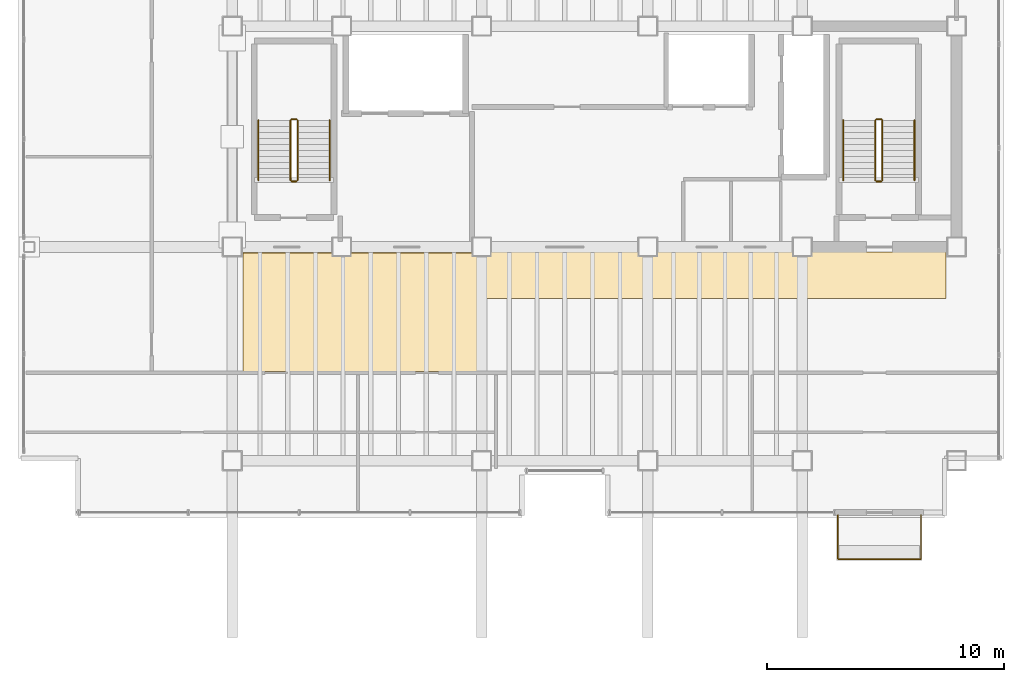
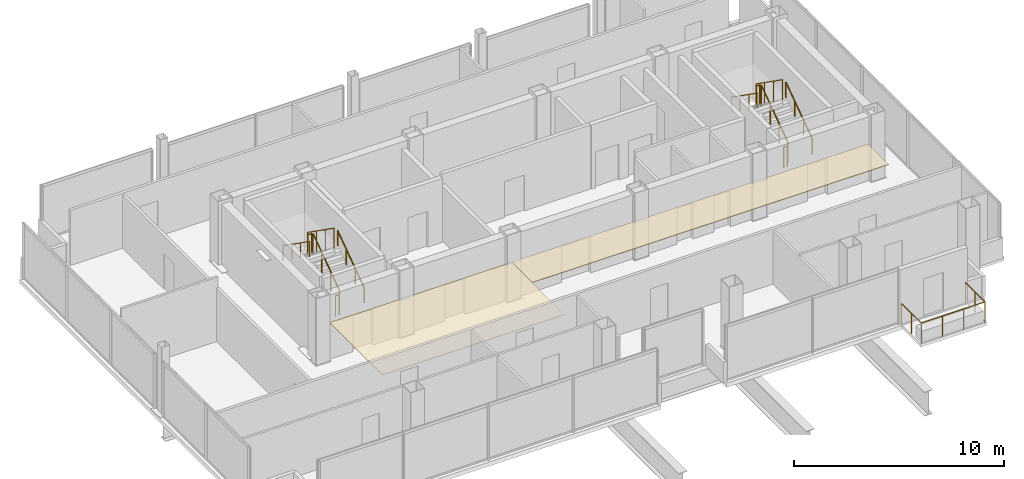
# One storey, part 19 of 19: 13 railings, 2 coverings.
"""IFC4 building model written with IfcOpenShell, lengths in metres."""

from ifc_helpers import new_model, si_unit, direction, frame, origin, origin_2d, place, context, subcontext, project, spatial, polyline, circle, outline, extrude, material, layer, layer_set, type_object, element, save


model = new_model("IFC4")

# Units and contexts
model_context = context("Model", 3, precision=1e-05, world=origin(), true_north=direction((0.0, 1.0)))
body_context = subcontext(model_context, "Body", "Model", "MODEL_VIEW")
ifc_project = project(units=[si_unit("LENGTHUNIT", "METRE"), si_unit("AREAUNIT", "SQUARE_METRE"), si_unit("VOLUMEUNIT", "CUBIC_METRE"), si_unit("PLANEANGLEUNIT", "RADIAN"), si_unit("MASSUNIT", "GRAM", prefix="KILO")], contexts=[model_context])

# Site, building, storey
site_placement = place(None, origin())
site = spatial("IfcSite", under=ifc_project, at=site_placement, CompositionType="ELEMENT")
building_placement = place(site_placement, origin())
building = spatial("IfcBuilding", under=site, at=building_placement, Name="Noeulbin Bourse Tower", CompositionType="ELEMENT")
storey_placement = place(building_placement, frame((0.0, 0.0, 257.89990234375)))
storey = spatial("IfcBuildingStorey", under=building, at=storey_placement, Name="L64", CompositionType="ELEMENT", Elevation=257.89990234375)

# Coverings
ifc_material_1 = material(Name="Perforated Mineral-Fibre Acoustic Tile")
ifc_layer_1 = layer(ifc_material_1, 0.0400390625)
ifc_layer_set_1 = layer_set([ifc_layer_1], Name="Perforated Mineral-Fibre Acoustic Tile")
covering_type_1 = type_object("IfcCoveringType", Name="COV-CEIL-ACT", PredefinedType="CEILING", material=ifc_layer_set_1)
covering_1_placement = place(storey_placement, frame((0.0, 0.0, 2.110107421875)))
element("IfcCovering", 1, at=covering_1_placement, inside=storey, type_object=covering_type_1, Name="Trading Suite Acoustic Ceiling L64", PredefinedType="CEILING", context=body_context, shape_type="SweptSolid", body=[
    extrude(outline(polyline([(13.949951171875, 23.75), (23.949951171875, 23.75), (23.949951171875, 28.75), (13.949951171875, 28.75), (13.949951171875, 23.75)])), origin(), (0.0, 0.0, 1.0), 0.0400390625),
])
ifc_material_2 = material(Name="Linear Anodised Aluminium Baffle Ceiling", Category="aluminium")
ifc_layer_2 = layer(ifc_material_2, 0.050048828125)
ifc_layer_set_2 = layer_set([ifc_layer_2], Name="Linear Anodised Aluminium Baffle Ceiling")
covering_type_2 = type_object("IfcCoveringType", Name="COV-CEIL-MTL", PredefinedType="CEILING", material=ifc_layer_set_2)
covering_2_placement = place(storey_placement, frame((0.0, 0.0, 2.110107421875)))
element("IfcCovering", 2, at=covering_2_placement, inside=storey, type_object=covering_type_2, Name="Corridor Suspended Ceiling L64", PredefinedType="CEILING", context=body_context, shape_type="SweptSolid", body=[
    extrude(outline(polyline([(13.949951171875, 26.820068359375), (43.550048828125, 26.820068359375), (43.550048828125, 28.780029296875), (13.949951171875, 28.780029296875), (13.949951171875, 26.820068359375)])), origin(), (0.0, 0.0, 1.0), 0.0400390625),
])

# Railings
ifc_material_3 = material(Name="Laminated SentryGlas and Stainless Steel 316", Category="steel")
ifc_layer_3 = layer(ifc_material_3, 0.06005859375)
ifc_layer_set_3 = layer_set([ifc_layer_3], Name="Laminated SentryGlas and Stainless Steel 316")
railing_type_1 = type_object("IfcRailingType", Name="RLG-BAL-1200", PredefinedType="BALUSTRADE", material=ifc_layer_set_3)
railing_1_placement = place(storey_placement, frame((39.0, 17.719970703125, 0.0)))
element("IfcRailing", 3, at=railing_1_placement, inside=storey, type_object=railing_type_1, Name="Tree-Balcony Glazed Balustrade L64", PredefinedType="BALUSTRADE", context=body_context, shape_type="SweptSolid", body=[
    extrude(circle(Radius=0.02392578125, at=origin_2d()), frame((0.0, 0.0, 1.17578125), z_axis=(0.0, -1.0, 0.0), x_axis=(1.0, 0.0, 0.0)), (0.0, 0.0, 1.0), 1.869873046875),
    extrude(circle(Radius=0.02392578125, at=origin_2d()), frame((0.0, -1.869873046875, 1.17578125), z_axis=(1.0, 0.0, 0.0), x_axis=(0.0, 1.0, 0.0)), (0.0, 0.0, 1.0), 3.5),
    extrude(circle(Radius=0.02392578125, at=origin_2d()), frame((3.5, -1.869873046875, 1.17578125), z_axis=(0.0, 1.0, 0.0), x_axis=(-1.0, 0.0, 0.0)), (0.0, 0.0, 1.0), 1.869873046875),
    extrude(circle(Radius=0.02099609375, at=origin_2d()), origin(), (0.0, 0.0, 1.0), 1.15185546875),
    extrude(circle(Radius=0.02099609375, at=origin_2d()), frame((0.0, -0.93505859375, 0.0)), (0.0, 0.0, 1.0), 1.15185546875),
    extrude(circle(Radius=0.02099609375, at=origin_2d()), frame((0.0, -1.869873046875, 0.0)), (0.0, 0.0, 1.0), 1.15185546875),
    extrude(circle(Radius=0.02099609375, at=origin_2d()), frame((1.166748046875, -1.869873046875, 0.0)), (0.0, 0.0, 1.0), 1.15185546875),
    extrude(circle(Radius=0.02099609375, at=origin_2d()), frame((2.333251953125, -1.869873046875, 0.0)), (0.0, 0.0, 1.0), 1.15185546875),
    extrude(circle(Radius=0.02099609375, at=origin_2d()), frame((3.5, -1.869873046875, 0.0)), (0.0, 0.0, 1.0), 1.15185546875),
    extrude(circle(Radius=0.02099609375, at=origin_2d()), frame((3.5, -0.93505859375, 0.0)), (0.0, 0.0, 1.0), 1.15185546875),
    extrude(circle(Radius=0.02099609375, at=origin_2d()), frame((3.5, 0.0, 0.0)), (0.0, 0.0, 1.0), 1.15185546875),
])
ifc_material_4 = material(Name="Painted Tubular Steel S355", Category="steel")
ifc_layer_4 = layer(ifc_material_4, 0.048095703125)
ifc_layer_set_4 = layer_set([ifc_layer_4], Name="Painted Tubular Steel S355")
railing_type_2 = type_object("IfcRailingType", Name="RLG-STR-GRD", PredefinedType="GUARDRAIL", material=ifc_layer_set_4)
railing_2_placement = place(storey_placement, frame((16.25, 31.81005859375, 0.177490234375)))
element("IfcRailing", 4, at=railing_2_placement, inside=storey, type_object=railing_type_2, Name="L64 ST-1 stair guard 1", PredefinedType="GUARDRAIL", context=body_context, shape_type="SweptSolid", body=[
    extrude(circle(Radius=0.02392578125, at=origin_2d()), frame((0.0, 0.0, 1.17578125), z_axis=(0.0, 0.817904474719, 0.575354039036), x_axis=(-1.0, 0.0, 0.0)), (0.0, 0.0, 1.0), 3.0810546875),
    extrude(circle(Radius=0.02099609375, at=origin_2d()), origin(), (0.0, 0.0, 1.0), 1.15185546875),
    extrude(circle(Radius=0.02099609375, at=origin_2d()), frame((0.0, 0.840087890625, 0.5908203125)), (0.0, 0.0, 1.0), 1.15185546875),
    extrude(circle(Radius=0.02099609375, at=origin_2d()), frame((0.0, 1.679931640625, 1.181884765625)), (0.0, 0.0, 1.0), 1.15185546875),
    extrude(circle(Radius=0.02099609375, at=origin_2d()), frame((0.0, 2.52001953125, 1.772705078125)), (0.0, 0.0, 1.0), 1.15185546875),
])
railing_3_placement = place(storey_placement, frame((16.199951171875, 34.3798828125, 1.9501953125)))
element("IfcRailing", 5, at=railing_3_placement, inside=storey, type_object=railing_type_2, Name="L64 ST-1 stair guard 2", PredefinedType="GUARDRAIL", context=body_context, shape_type="SweptSolid", body=[
    extrude(circle(Radius=0.02392578125, at=origin_2d()), frame((0.0, 0.0, 1.17578125), z_axis=(-1.0, 0.0, 0.0), x_axis=(0.0, -1.0, 0.0)), (0.0, 0.0, 1.0), 0.199951171875),
    extrude(circle(Radius=0.02099609375, at=origin_2d()), origin(), (0.0, 0.0, 1.0), 1.15185546875),
    extrude(circle(Radius=0.02099609375, at=origin_2d()), frame((-0.199951171875, 0.0, 0.0)), (0.0, 0.0, 1.0), 1.15185546875),
])
railing_4_placement = place(storey_placement, frame((15.949951171875, 34.330078125, 2.12744140625)))
element("IfcRailing", 6, at=railing_4_placement, inside=storey, type_object=railing_type_2, Name="L64 ST-1 stair guard 3", PredefinedType="GUARDRAIL", context=body_context, shape_type="SweptSolid", body=[
    extrude(circle(Radius=0.02392578125, at=origin_2d()), frame((0.0, 0.0, 1.17578125), z_axis=(0.0, -0.817904474719, 0.575354039036), x_axis=(1.0, 0.0, 0.0)), (0.0, 0.0, 1.0), 3.0810546875),
    extrude(circle(Radius=0.02099609375, at=origin_2d()), origin(), (0.0, 0.0, 1.0), 1.15185546875),
    extrude(circle(Radius=0.02099609375, at=origin_2d()), frame((0.0, -0.840087890625, 0.5908203125)), (0.0, 0.0, 1.0), 1.15185546875),
    extrude(circle(Radius=0.02099609375, at=origin_2d()), frame((0.0, -1.679931640625, 1.181884765625)), (0.0, 0.0, 1.0), 1.15185546875),
    extrude(circle(Radius=0.02099609375, at=origin_2d()), frame((0.0, -2.52001953125, 1.772705078125)), (0.0, 0.0, 1.0), 1.15185546875),
])
railing_5_placement = place(storey_placement, frame((16.199951171875, 31.760009765625, 0.0)))
element("IfcRailing", 7, at=railing_5_placement, inside=storey, type_object=railing_type_2, Name="L64 ST-1 stair guard 4", PredefinedType="GUARDRAIL", context=body_context, shape_type="SweptSolid", body=[
    extrude(circle(Radius=0.02392578125, at=origin_2d()), frame((0.0, 0.0, 1.17578125), z_axis=(-1.0, 0.0, 0.0), x_axis=(0.0, -1.0, 0.0)), (0.0, 0.0, 1.0), 0.199951171875),
    extrude(circle(Radius=0.02099609375, at=origin_2d()), origin(), (0.0, 0.0, 1.0), 1.15185546875),
    extrude(circle(Radius=0.02099609375, at=origin_2d()), frame((-0.199951171875, 0.0, 0.0)), (0.0, 0.0, 1.0), 1.15185546875),
])
railing_6_placement = place(storey_placement, frame((40.8798828125, 31.81005859375, 0.177490234375)))
element("IfcRailing", 8, at=railing_6_placement, inside=storey, type_object=railing_type_2, Name="L64 ST-2 stair guard 1", PredefinedType="GUARDRAIL", context=body_context, shape_type="SweptSolid", body=[
    extrude(circle(Radius=0.02392578125, at=origin_2d()), frame((0.0, 0.0, 1.17578125), z_axis=(0.0, 0.817904474719, 0.575354039036), x_axis=(-1.0, 0.0, 0.0)), (0.0, 0.0, 1.0), 3.0810546875),
    extrude(circle(Radius=0.02099609375, at=origin_2d()), origin(), (0.0, 0.0, 1.0), 1.15185546875),
    extrude(circle(Radius=0.02099609375, at=origin_2d()), frame((0.0, 0.840087890625, 0.5908203125)), (0.0, 0.0, 1.0), 1.15185546875),
    extrude(circle(Radius=0.02099609375, at=origin_2d()), frame((0.0, 1.679931640625, 1.181884765625)), (0.0, 0.0, 1.0), 1.15185546875),
    extrude(circle(Radius=0.02099609375, at=origin_2d()), frame((0.0, 2.52001953125, 1.772705078125)), (0.0, 0.0, 1.0), 1.15185546875),
])
railing_7_placement = place(storey_placement, frame((40.830078125, 34.3798828125, 1.9501953125)))
element("IfcRailing", 9, at=railing_7_placement, inside=storey, type_object=railing_type_2, Name="L64 ST-2 stair guard 2", PredefinedType="GUARDRAIL", context=body_context, shape_type="SweptSolid", body=[
    extrude(circle(Radius=0.02392578125, at=origin_2d()), frame((0.0, 0.0, 1.17578125), z_axis=(-1.0, 0.0, 0.0), x_axis=(0.0, -1.0, 0.0)), (0.0, 0.0, 1.0), 0.2001953125),
    extrude(circle(Radius=0.02099609375, at=origin_2d()), origin(), (0.0, 0.0, 1.0), 1.15185546875),
    extrude(circle(Radius=0.02099609375, at=origin_2d()), frame((-0.2001953125, 0.0, 0.0)), (0.0, 0.0, 1.0), 1.15185546875),
])
railing_8_placement = place(storey_placement, frame((40.580078125, 34.330078125, 2.12744140625)))
element("IfcRailing", 10, at=railing_8_placement, inside=storey, type_object=railing_type_2, Name="L64 ST-2 stair guard 3", PredefinedType="GUARDRAIL", context=body_context, shape_type="SweptSolid", body=[
    extrude(circle(Radius=0.02392578125, at=origin_2d()), frame((0.0, 0.0, 1.17578125), z_axis=(0.0, -0.817904474719, 0.575354039036), x_axis=(1.0, 0.0, 0.0)), (0.0, 0.0, 1.0), 3.0810546875),
    extrude(circle(Radius=0.02099609375, at=origin_2d()), origin(), (0.0, 0.0, 1.0), 1.15185546875),
    extrude(circle(Radius=0.02099609375, at=origin_2d()), frame((0.0, -0.840087890625, 0.5908203125)), (0.0, 0.0, 1.0), 1.15185546875),
    extrude(circle(Radius=0.02099609375, at=origin_2d()), frame((0.0, -1.679931640625, 1.181884765625)), (0.0, 0.0, 1.0), 1.15185546875),
    extrude(circle(Radius=0.02099609375, at=origin_2d()), frame((0.0, -2.52001953125, 1.772705078125)), (0.0, 0.0, 1.0), 1.15185546875),
])
railing_9_placement = place(storey_placement, frame((40.830078125, 31.760009765625, 0.0)))
element("IfcRailing", 11, at=railing_9_placement, inside=storey, type_object=railing_type_2, Name="L64 ST-2 stair guard 4", PredefinedType="GUARDRAIL", context=body_context, shape_type="SweptSolid", body=[
    extrude(circle(Radius=0.02392578125, at=origin_2d()), frame((0.0, 0.0, 1.17578125), z_axis=(-1.0, 0.0, 0.0), x_axis=(0.0, -1.0, 0.0)), (0.0, 0.0, 1.0), 0.2001953125),
    extrude(circle(Radius=0.02099609375, at=origin_2d()), origin(), (0.0, 0.0, 1.0), 1.15185546875),
    extrude(circle(Radius=0.02099609375, at=origin_2d()), frame((-0.2001953125, 0.0, 0.0)), (0.0, 0.0, 1.0), 1.15185546875),
])
ifc_material_5 = material(Name="Brushed Stainless Steel 316", Category="steel")
ifc_layer_5 = layer(ifc_material_5, 0.048095703125)
ifc_layer_set_5 = layer_set([ifc_layer_5], Name="Brushed Stainless Steel 316")
railing_type_3 = type_object("IfcRailingType", Name="RLG-STR-HND", PredefinedType="HANDRAIL", material=ifc_layer_set_5)
railing_10_placement = place(storey_placement, frame((17.60009765625, 31.81005859375, 0.177490234375)))
element("IfcRailing", 12, at=railing_10_placement, inside=storey, type_object=railing_type_3, Name="L64 ST-1 stair handrail 1", PredefinedType="HANDRAIL", context=body_context, shape_type="SweptSolid", body=[
    extrude(circle(Radius=0.02392578125, at=origin_2d()), frame((0.0, 0.0, 0.8759765625), z_axis=(0.0, 0.817904474719, 0.575354039036), x_axis=(-1.0, 0.0, 0.0)), (0.0, 0.0, 1.0), 3.0810546875),
    extrude(circle(Radius=0.02099609375, at=origin_2d()), origin(), (0.0, 0.0, 1.0), 0.851806640625),
    extrude(circle(Radius=0.02099609375, at=origin_2d()), frame((0.0, 0.840087890625, 0.5908203125)), (0.0, 0.0, 1.0), 0.851806640625),
    extrude(circle(Radius=0.02099609375, at=origin_2d()), frame((0.0, 1.679931640625, 1.181884765625)), (0.0, 0.0, 1.0), 0.851806640625),
    extrude(circle(Radius=0.02099609375, at=origin_2d()), frame((0.0, 2.52001953125, 1.772705078125)), (0.0, 0.0, 1.0), 0.851806640625),
])
railing_11_placement = place(storey_placement, frame((14.60009765625, 34.330078125, 2.12744140625)))
element("IfcRailing", 13, at=railing_11_placement, inside=storey, type_object=railing_type_3, Name="L64 ST-1 stair handrail 2", PredefinedType="HANDRAIL", context=body_context, shape_type="SweptSolid", body=[
    extrude(circle(Radius=0.02392578125, at=origin_2d()), frame((0.0, 0.0, 0.8759765625), z_axis=(0.0, -0.817904474719, 0.575354039036), x_axis=(1.0, 0.0, 0.0)), (0.0, 0.0, 1.0), 3.0810546875),
    extrude(circle(Radius=0.02099609375, at=origin_2d()), origin(), (0.0, 0.0, 1.0), 0.851806640625),
    extrude(circle(Radius=0.02099609375, at=origin_2d()), frame((0.0, -0.840087890625, 0.5908203125)), (0.0, 0.0, 1.0), 0.851806640625),
    extrude(circle(Radius=0.02099609375, at=origin_2d()), frame((0.0, -1.679931640625, 1.181884765625)), (0.0, 0.0, 1.0), 0.851806640625),
    extrude(circle(Radius=0.02099609375, at=origin_2d()), frame((0.0, -2.52001953125, 1.772705078125)), (0.0, 0.0, 1.0), 0.851806640625),
])
railing_12_placement = place(storey_placement, frame((42.22998046875, 31.81005859375, 0.177490234375)))
element("IfcRailing", 14, at=railing_12_placement, inside=storey, type_object=railing_type_3, Name="L64 ST-2 stair handrail 1", PredefinedType="HANDRAIL", context=body_context, shape_type="SweptSolid", body=[
    extrude(circle(Radius=0.02392578125, at=origin_2d()), frame((0.0, 0.0, 0.8759765625), z_axis=(0.0, 0.817904474719, 0.575354039036), x_axis=(-1.0, 0.0, 0.0)), (0.0, 0.0, 1.0), 3.0810546875),
    extrude(circle(Radius=0.02099609375, at=origin_2d()), origin(), (0.0, 0.0, 1.0), 0.851806640625),
    extrude(circle(Radius=0.02099609375, at=origin_2d()), frame((0.0, 0.840087890625, 0.5908203125)), (0.0, 0.0, 1.0), 0.851806640625),
    extrude(circle(Radius=0.02099609375, at=origin_2d()), frame((0.0, 1.679931640625, 1.181884765625)), (0.0, 0.0, 1.0), 0.851806640625),
    extrude(circle(Radius=0.02099609375, at=origin_2d()), frame((0.0, 2.52001953125, 1.772705078125)), (0.0, 0.0, 1.0), 0.851806640625),
])
railing_13_placement = place(storey_placement, frame((39.22998046875, 34.330078125, 2.12744140625)))
element("IfcRailing", 15, at=railing_13_placement, inside=storey, type_object=railing_type_3, Name="L64 ST-2 stair handrail 2", PredefinedType="HANDRAIL", context=body_context, shape_type="SweptSolid", body=[
    extrude(circle(Radius=0.02392578125, at=origin_2d()), frame((0.0, 0.0, 0.8759765625), z_axis=(0.0, -0.817904474719, 0.575354039036), x_axis=(1.0, 0.0, 0.0)), (0.0, 0.0, 1.0), 3.0810546875),
    extrude(circle(Radius=0.02099609375, at=origin_2d()), origin(), (0.0, 0.0, 1.0), 0.851806640625),
    extrude(circle(Radius=0.02099609375, at=origin_2d()), frame((0.0, -0.840087890625, 0.5908203125)), (0.0, 0.0, 1.0), 0.851806640625),
    extrude(circle(Radius=0.02099609375, at=origin_2d()), frame((0.0, -1.679931640625, 1.181884765625)), (0.0, 0.0, 1.0), 0.851806640625),
    extrude(circle(Radius=0.02099609375, at=origin_2d()), frame((0.0, -2.52001953125, 1.772705078125)), (0.0, 0.0, 1.0), 0.851806640625),
])

save(model, "model.ifc")
